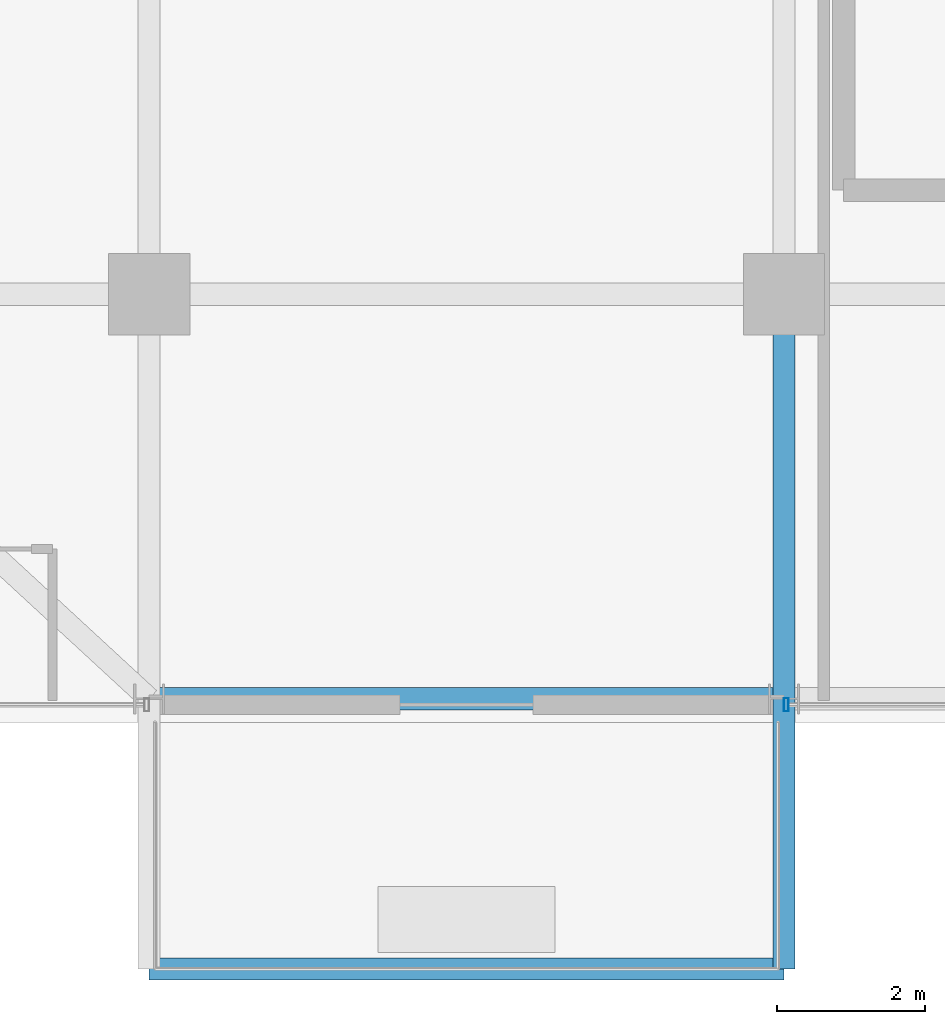
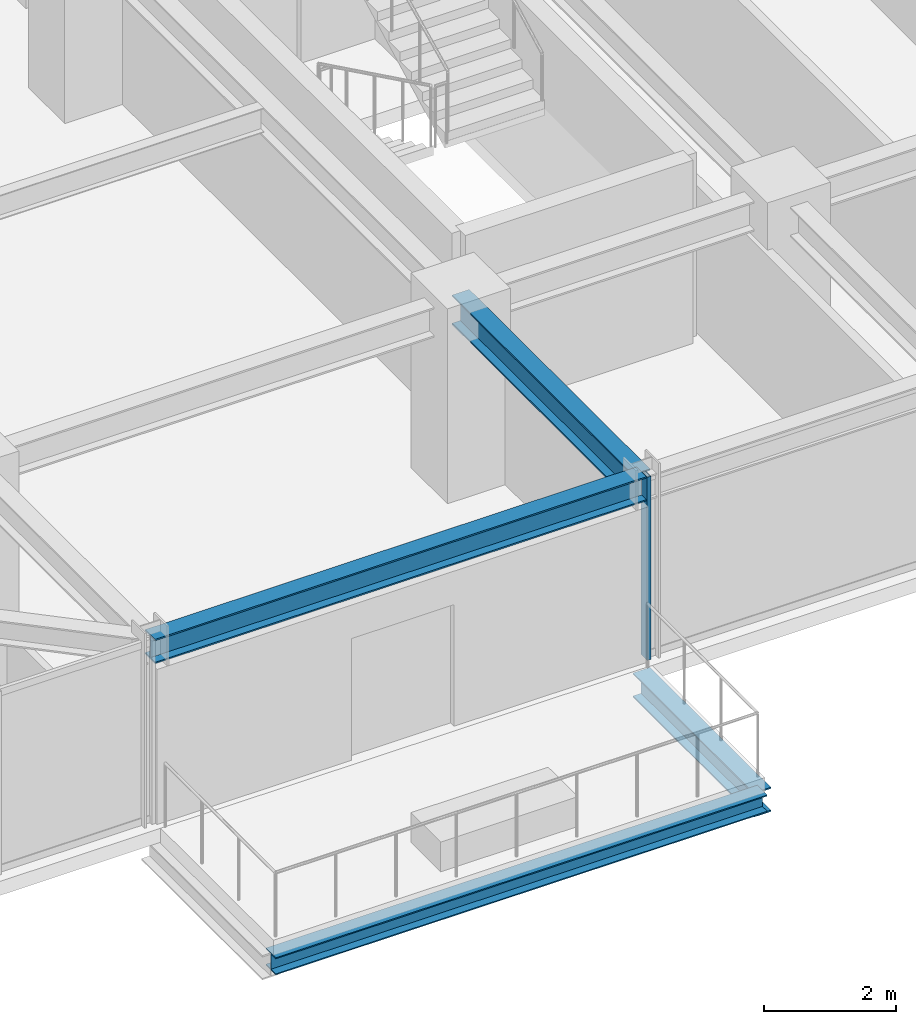
# One storey, part 3 of 31: 4 beams, 1 member, 1 element without a shape of its own.
"""IFC4 building model written with IfcOpenShell, lengths in metres."""

from ifc_helpers import new_model, si_unit, direction, frame, origin, origin_2d, place, context, subcontext, project, spatial, hollow_rectangle, i_section, extrude, source, transform, mapped, material, material_profile, profile_set, type_object, element, aggregate, save


model = new_model("IFC4")

# Units and contexts
model_context = context("Model", 3, precision=1e-05, world=origin(), true_north=direction((0.0, 1.0)))
body_context = subcontext(model_context, "Body", "Model", "MODEL_VIEW")
ifc_project = project(units=[si_unit("LENGTHUNIT", "METRE"), si_unit("AREAUNIT", "SQUARE_METRE"), si_unit("VOLUMEUNIT", "CUBIC_METRE"), si_unit("PLANEANGLEUNIT", "RADIAN"), si_unit("MASSUNIT", "GRAM", prefix="KILO")], contexts=[model_context])

# Site, building, storey
site_placement = place(None, origin())
site = spatial("IfcSite", under=ifc_project, at=site_placement, CompositionType="ELEMENT")
building_placement = place(site_placement, origin())
building = spatial("IfcBuilding", under=site, at=building_placement, Name="Nahalor Promenade Grand Hotel", CompositionType="ELEMENT")
storey_placement = place(building_placement, frame((0.0, 0.0, 192.800048828125)))
storey = spatial("IfcBuildingStorey", under=building, at=storey_placement, Name="L49", CompositionType="ELEMENT", Elevation=192.800048828125)

# Beams
ifc_material_1 = material(Name="Steel S355JR", Category="steel")
ifc_material_profile_1 = material_profile(ifc_material_1, i_section(OverallWidth=0.3, OverallDepth=0.32, WebThickness=0.0115, FlangeThickness=0.0205, at=origin_2d()), Name="HEB 320")
ifc_profile_set_1 = profile_set([ifc_material_profile_1], Name="Steel S355JR")
beam_type_1 = type_object("IfcBeamType", Name="Beam-BalcEdge-HEB320", PredefinedType="SPANDREL", material=ifc_profile_set_1)
shared_shape_1 = source(origin(), body_context, "Body", "SweptSolid", [
    extrude(i_section(OverallWidth=0.3, OverallDepth=0.32, WebThickness=0.0115, FlangeThickness=0.0205, at=origin_2d()), origin(), (0.0, 0.0, 1.0), 8.60009765625),
])
beam_1_placement = place(storey_placement, frame((-17.0, -26.139892578125, -0.43994140625), z_axis=(1.0, 0.0, 0.0), x_axis=(0.0, 1.0, 0.0)))
element("IfcBeam", 1, at=beam_1_placement, inside=storey, type_object=beam_type_1, Name="BM-L49-BC-01-F", PredefinedType="SPANDREL", context=body_context, shape_type="MappedRepresentation", body=[
    mapped(shared_shape_1, transform((0.0, 0.0, 0.0), scale=1.0)),
])
ifc_material_profile_2 = material_profile(ifc_material_1, i_section(OverallWidth=0.3, OverallDepth=0.45, WebThickness=0.014, FlangeThickness=0.026, at=origin_2d()), Name="HEB 450")
ifc_profile_set_2 = profile_set([ifc_material_profile_2], Name="Steel S355JR")
beam_type_2 = type_object("IfcBeamType", Name="Beam-Outrigger-HEB450", PredefinedType="BEAM", material=ifc_profile_set_2)
shared_shape_2 = source(origin(), body_context, "Body", "SweptSolid", [
    extrude(i_section(OverallWidth=0.3, OverallDepth=0.45, WebThickness=0.014, FlangeThickness=0.026, at=origin_2d()), origin(), (0.0, 0.0, 1.0), 3.659912109375),
])
beam_2_placement = place(storey_placement, frame((-8.39990234375, -26.139892578125, -0.505126953125), z_axis=(0.0, 1.0, 0.0), x_axis=(-1.0, 0.0, 0.0)))
element("IfcBeam", 2, at=beam_2_placement, inside=storey, type_object=beam_type_2, Name="BM-L49-BC-01-2", PredefinedType="BEAM", context=body_context, shape_type="MappedRepresentation", body=[
    mapped(shared_shape_2, transform((0.0, 0.0, 0.0), scale=1.0)),
])
ifc_material_profile_3 = material_profile(ifc_material_1, i_section(OverallWidth=0.3, OverallDepth=0.55, WebThickness=0.015, FlangeThickness=0.029, at=origin_2d()), Name="HEB 550")
ifc_profile_set_3 = profile_set([ifc_material_profile_3], Name="Steel S355JR")
beam_type_3 = type_object("IfcBeamType", Name="Beam-Girder-HEB550", PredefinedType="BEAM", material=ifc_profile_set_3)
shared_shape_3 = source(origin(), body_context, "Body", "SweptSolid", [
    extrude(i_section(OverallWidth=0.3, OverallDepth=0.55, WebThickness=0.015, FlangeThickness=0.029, at=origin_2d()), origin(), (0.0, 0.0, 1.0), 5.47998046875),
])
beam_3_placement = place(storey_placement, frame((-8.39990234375, -22.47998046875, 3.114990234375), z_axis=(0.0, 1.0, 0.0), x_axis=(-1.0, 0.0, 0.0)))
element("IfcBeam", 3, at=beam_3_placement, inside=storey, type_object=beam_type_3, Name="BM-L49-GY-1-0", PredefinedType="BEAM", context=body_context, shape_type="MappedRepresentation", body=[
    mapped(shared_shape_3, transform((0.0, 0.0, 0.0), scale=1.0)),
])
ifc_material_profile_4 = material_profile(ifc_material_1, i_section(OverallWidth=0.3, OverallDepth=0.45, WebThickness=0.014, FlangeThickness=0.026, at=origin_2d()), Name="HEB 450")
ifc_profile_set_4 = profile_set([ifc_material_profile_4], Name="Steel S355JR")
beam_type_4 = type_object("IfcBeamType", Name="Beam-Spandrel-HEB450", PredefinedType="SPANDREL", material=ifc_profile_set_4)
shared_shape_4 = source(origin(), body_context, "Body", "SweptSolid", [
    extrude(i_section(OverallWidth=0.3, OverallDepth=0.45, WebThickness=0.014, FlangeThickness=0.026, at=origin_2d()), origin(), (0.0, 0.0, 1.0), 8.60009765625),
])
beam_4_placement = place(storey_placement, frame((-17.0, -22.47998046875, 3.1650390625), z_axis=(1.0, 0.0, 0.0), x_axis=(0.0, 1.0, 0.0)))
element("IfcBeam", 4, at=beam_4_placement, inside=storey, type_object=beam_type_4, Name="BM-L49-SP-S-0", PredefinedType="SPANDREL", context=body_context, shape_type="MappedRepresentation", body=[
    mapped(shared_shape_4, transform((0.0, 0.0, 0.0), scale=1.0)),
])

# Curtain wall, member
ifc_material_2 = material(Name="Anodised Bronze Aluminium EN AW-6063 T6", Category="aluminium")
curtain_wall_type = type_object("IfcCurtainWallType", Name="CW2 Typical Hotel Flush Bronze Unitised Curtain Wall", PredefinedType="USERDEFINED", material=ifc_material_2)
curtain_wall_placement = place(storey_placement, origin())
curtain_wall = element("IfcCurtainWall", 5, at=curtain_wall_placement, inside=storey, type_object=curtain_wall_type, Name="L49 Curtain Wall CW-L49-S-3", ObjectType="UNITISED_CURTAIN_WALL", PredefinedType="USERDEFINED")
ifc_material_profile_5 = material_profile(ifc_material_2, hollow_rectangle(XDim=0.065, YDim=0.18, WallThickness=0.004, at=origin_2d()), Name="CWM 65x180x4")
ifc_profile_set_5 = profile_set([ifc_material_profile_5], Name="Anodised Bronze Aluminium EN AW-6063 T6")
member_type = type_object("IfcMemberType", Name="CWM2 Typical Bronze Mullion 65x180", PredefinedType="MULLION", material=ifc_profile_set_5)
shared_shape_5 = source(origin(), body_context, "Body", "SweptSolid", [
    extrude(hollow_rectangle(XDim=0.065, YDim=0.18, WallThickness=0.004, at=origin_2d()), origin(), (0.0, 0.0, 1.0), 3.389892578125),
])
member_placement = place(storey_placement, frame((-8.367431640625, -22.56005859375, 0.0), z_axis=(0.0, 0.0, 1.0), x_axis=(1.0, 0.0, 0.0)))
member = element("IfcMember", 6, at=member_placement, type_object=member_type, Name="CW-L49-S-3 Mullion 0", PredefinedType="MULLION", context=body_context, shape_type="MappedRepresentation", body=[
    mapped(shared_shape_5, transform((0.0, 0.0, 0.0), scale=1.0)),
])
aggregate(curtain_wall, [member])

save(model, "model.ifc")
